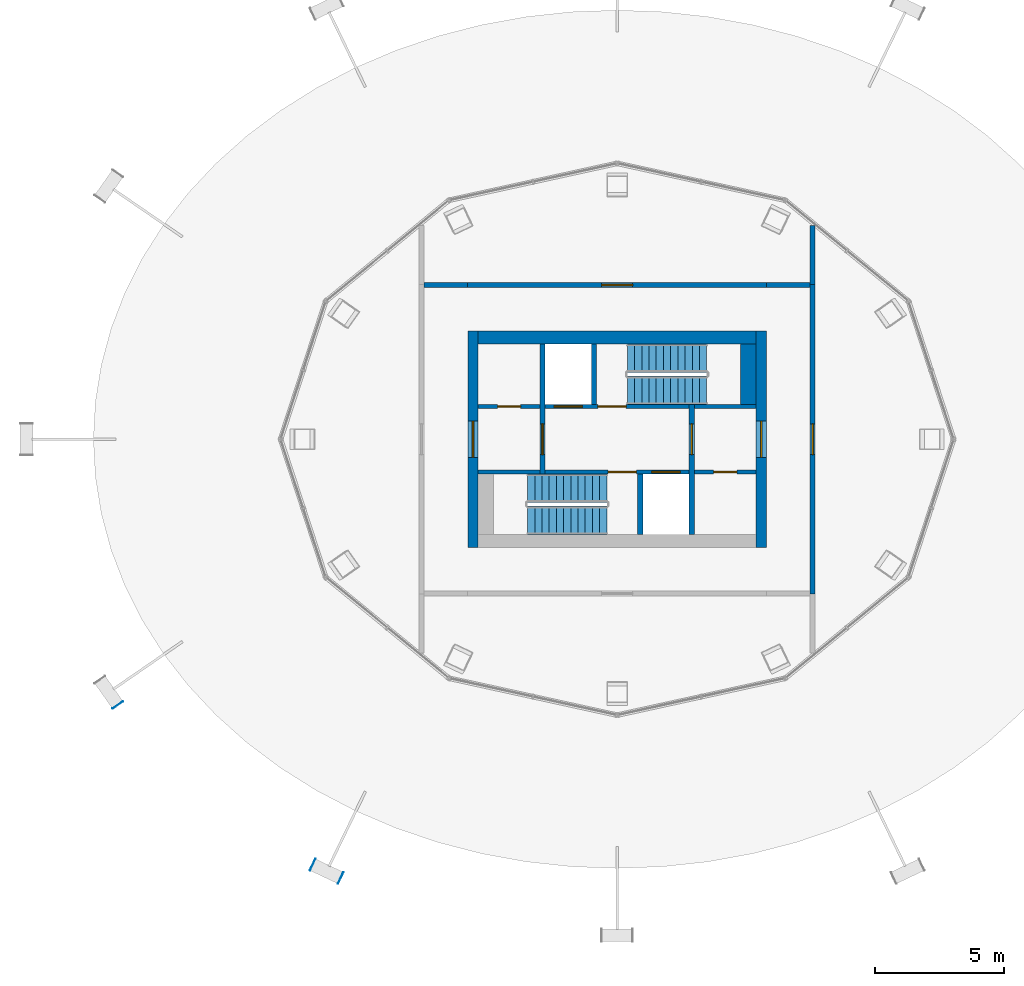
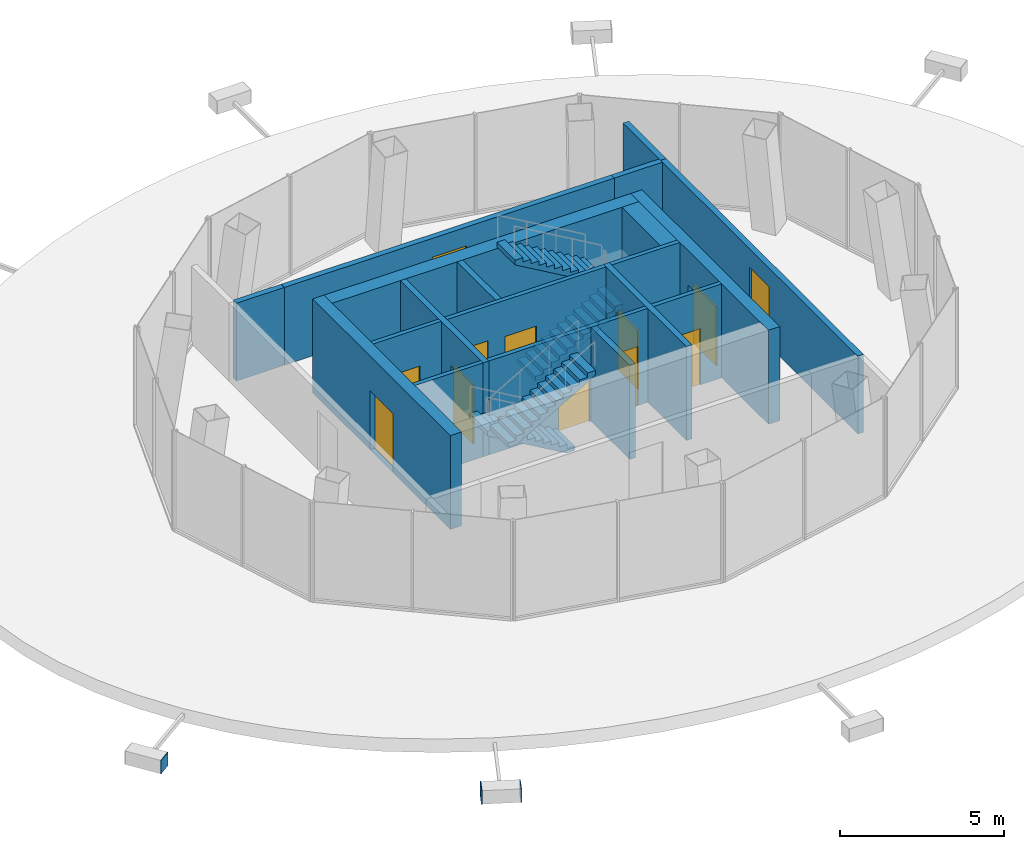
# One storey, part 6 of 10: 19 walls, 12 doors, 4 stair flights, 3 discrete accessories, 12 openings, 2 elements without a shape of their own.
"""IFC4 building model written with IfcOpenShell, lengths in metres."""

import ifcopenshell
import ifcopenshell.guid

model = None  # the IFC model being written
_history = None  # IfcOwnerHistory: only IFC2X3 demands one
_inside = {}  # id of a spatial element -> (the spatial element, [elements in it])
_under = {}  # id of a project, library or spatial element -> (it, [spatial elements below it])
_declared = {}  # id of a project -> (the project, [libraries it declares])
_typed = {}  # id of a type object -> (the type object, [elements of that type])
_made_of = {}  # id of a material, layer set ... -> (it, [elements and type objects made of it])


def new_model(schema):
    """Start an empty IFC model of exactly this schema.

    Asked for "IFC4X3", IfcOpenShell would pick the latest addendum, in which some entities
    have other attributes; the version numbers below select the first issue.
    IFC2X3 requires an IfcOwnerHistory on every rooted entity: one is made here for all.
    """
    global model, _history
    if schema == "IFC4X3":
        model = ifcopenshell.file(schema_version=(4, 3, 0, 0))
    else:
        model = ifcopenshell.file(schema=schema)
    _inside.clear()
    _under.clear()
    _declared.clear()
    _typed.clear()
    _made_of.clear()
    _history = None
    if model.schema == "IFC2X3":
        org = make("IfcOrganization", Name="unknown")
        user = make(
            "IfcPersonAndOrganization",
            ThePerson=make("IfcPerson", FamilyName="unknown"),
            TheOrganization=org,
        )
        app = make(
            "IfcApplication",
            ApplicationDeveloper=org,
            Version="unknown",
            ApplicationFullName="unknown",
            ApplicationIdentifier="unknown",
        )
        _history = make(
            "IfcOwnerHistory",
            OwningUser=user,
            OwningApplication=app,
            ChangeAction="ADDED",
            CreationDate=0,
        )
    return model


def make(cls, **values):
    """One entity of the class cls with the attributes given. An attribute that is None is left unset."""
    return model.create_entity(
        cls, **{name: value for name, value in values.items() if value is not None}
    )


def rooted(cls, **values):
    """An entity with a GlobalId (a new one), such as an element, a storey or a relation."""
    return make(cls, GlobalId=ifcopenshell.guid.new(), OwnerHistory=_history, **values)


def si_unit(unit_type, name, prefix=None):
    """IfcSIUnit, for example si_unit("LENGTHUNIT", "METRE", prefix="MILLI")."""
    return make("IfcSIUnit", UnitType=unit_type, Prefix=prefix, Name=name)


def assignment(units):
    """IfcUnitAssignment: the units of a project."""
    return None if units is None else make("IfcUnitAssignment", Units=units)


def point(xyz):
    """IfcCartesianPoint."""
    return None if xyz is None else make("IfcCartesianPoint", Coordinates=xyz)


def direction(xyz):
    """IfcDirection."""
    return None if xyz is None else make("IfcDirection", DirectionRatios=xyz)


def frame(location, z_axis=None, x_axis=None):
    """IfcAxis2Placement3D, a coordinate frame: its origin and axes. An axis left out is left unset."""
    return make(
        "IfcAxis2Placement3D",
        Location=point(location),
        Axis=direction(z_axis),
        RefDirection=direction(x_axis),
    )


def frame_2d(location, x_axis=None):
    """IfcAxis2Placement2D, a coordinate frame in the plane: its origin and x axis."""
    return make(
        "IfcAxis2Placement2D", Location=point(location), RefDirection=direction(x_axis)
    )


def origin():
    """The frame at (0, 0, 0) with its axes left unset."""
    return frame((0.0, 0.0, 0.0))


def origin_2d():
    """The frame at (0, 0) in the plane with its x axis left unset."""
    return frame_2d((0.0, 0.0))


def place(relative_to, where):
    """IfcLocalPlacement: puts the frame where relative to a parent placement (None: the world)."""
    return make(
        "IfcLocalPlacement", PlacementRelTo=relative_to, RelativePlacement=where
    )


def context(
    kind, dimensions, precision=None, world=None, true_north=None, identifier=None
):
    """IfcGeometricRepresentationContext, for example the 3D "Model" context."""
    return make(
        "IfcGeometricRepresentationContext",
        ContextIdentifier=identifier,
        ContextType=kind,
        CoordinateSpaceDimension=dimensions,
        Precision=precision,
        WorldCoordinateSystem=world,
        TrueNorth=true_north,
    )


def subcontext(parent, identifier, kind, view, scale=None):
    """IfcGeometricRepresentationSubContext, for example "Body" below "Model"."""
    return make(
        "IfcGeometricRepresentationSubContext",
        ContextIdentifier=identifier,
        ContextType=kind,
        ParentContext=parent,
        TargetScale=scale,
        TargetView=view,
    )


def project(units=None, contexts=None):
    """IfcProject with its units and contexts."""
    return rooted(
        "IfcProject",
        Name="project",
        RepresentationContexts=contexts,
        UnitsInContext=assignment(units),
    )


def spatial(cls, under=None, at=None, **own):
    """A site, building, storey or space (cls), placed at a placement, below another one or the project."""
    s = rooted(cls, ObjectPlacement=at, **own)
    if under is not None:
        _under.setdefault(under.id(), (under, []))[1].append(s)
    return s


def polyline(points):
    """IfcPolyline through the points."""
    return make("IfcPolyline", Points=[point(p) for p in points])


def profile(cls, at=None, kind="AREA", **sizes):
    """A parametric profile (cls). Its sizes go by their IFC names, for example OverallWidth=200.0."""
    return make(cls, ProfileType=kind, Position=at, **sizes)


def rectangle(**sizes):
    """IfcRectangleProfileDef."""
    return profile("IfcRectangleProfileDef", **sizes)


def outline(outer, holes=None, kind="AREA"):
    """IfcArbitraryClosedProfileDef: a profile drawn as a closed curve; with holes, ...WithVoids."""
    if holes is None:
        return make("IfcArbitraryClosedProfileDef", ProfileType=kind, OuterCurve=outer)
    return make(
        "IfcArbitraryProfileDefWithVoids",
        ProfileType=kind,
        OuterCurve=outer,
        InnerCurves=holes,
    )


def extrude(swept, where, along, depth):
    """IfcExtrudedAreaSolid: the profile swept, set in the frame where, extruded along a direction by depth."""
    return make(
        "IfcExtrudedAreaSolid",
        SweptArea=swept,
        Position=where,
        ExtrudedDirection=direction(along),
        Depth=depth,
    )


def shape(context_of_items, identifier, shape_type, items):
    """IfcShapeRepresentation: the items that make up one representation, for example the "Body"."""
    return make(
        "IfcShapeRepresentation",
        ContextOfItems=context_of_items,
        RepresentationIdentifier=identifier,
        RepresentationType=shape_type,
        Items=items,
    )


def material(Name=None, Category=None):
    """IfcMaterial."""
    return make("IfcMaterial", Name=Name, Category=Category)


def layer(
    of_material, thickness, ventilated=None, Name=None, Category=None, Priority=None
):
    """IfcMaterialLayer: one layer of a wall or slab, of a material (None: an air gap)."""
    return make(
        "IfcMaterialLayer",
        Material=of_material,
        LayerThickness=thickness,
        IsVentilated=ventilated,
        Name=Name,
        Category=Category,
        Priority=Priority,
    )


def layer_set(layers, Name=None):
    """IfcMaterialLayerSet."""
    return make("IfcMaterialLayerSet", MaterialLayers=layers, LayerSetName=Name)


def made_of(thing, what):
    """Note that an element or type object is made of a material, layer set ...; save() writes the relation."""
    if what is not None:
        _made_of.setdefault(what.id(), (what, []))[1].append(thing)
    return thing


def type_object(cls, material=None, **own):
    """A type object (cls), such as IfcWallType, which elements share."""
    return made_of(rooted(cls, **own), material)


def element(
    cls,
    number,
    at=None,
    inside=None,
    cuts=None,
    type_object=None,
    material=None,
    context=None,
    identifier="Body",
    shape_type=None,
    held_by="IfcProductDefinitionShape",
    body=None,
    shapes=None,
    **own,
):
    """One element of the class cls, such as IfcWall. Its Tag is "e" and its number.

    at: its placement. inside: the storey or other place that contains it. cuts: it is an
    opening in that element (IfcRelVoidsElement). A single representation is given by context,
    identifier, shape_type and body (its items); several are given by shapes. held_by: the class
    of the entity that holds the representations. save() writes the other relations.
    """
    e = rooted(cls, Tag="e%d" % number, ObjectPlacement=at, **own)
    if body is not None:
        shapes = [shape(context, identifier, shape_type, body)]
    if shapes is not None:
        e.Representation = make(held_by, Representations=shapes)
    if inside is not None:
        _inside.setdefault(inside.id(), (inside, []))[1].append(e)
    if cuts is not None:
        rooted(
            "IfcRelVoidsElement", RelatingBuildingElement=cuts, RelatedOpeningElement=e
        )
    if type_object is not None:
        _typed.setdefault(type_object.id(), (type_object, []))[1].append(e)
    return made_of(e, material)


def fill(opening, filler):
    """IfcRelFillsElement: the door or window that sits in an opening."""
    return rooted(
        "IfcRelFillsElement",
        RelatingOpeningElement=opening,
        RelatedBuildingElement=filler,
    )


def aggregate(whole, parts):
    """IfcRelAggregates: a whole, such as a stair, and the parts it consists of."""
    return rooted("IfcRelAggregates", RelatingObject=whole, RelatedObjects=parts)


def save(model, path):
    """Write the relations noted so far, then the file.

    IfcRelAggregates (storeys below a building ...), IfcRelContainedInSpatialStructure (elements
    in a storey), IfcRelDefinesByType, IfcRelAssociatesMaterial and IfcRelDeclares: one each for
    every whole, place, type object, material and project.
    """
    for whole, parts in _under.values():
        aggregate(whole, parts)
    for where, things in _inside.values():
        rooted(
            "IfcRelContainedInSpatialStructure",
            RelatedElements=things,
            RelatingStructure=where,
        )
    for kind, things in _typed.values():
        rooted("IfcRelDefinesByType", RelatedObjects=things, RelatingType=kind)
    for what, things in _made_of.values():
        rooted("IfcRelAssociatesMaterial", RelatedObjects=things, RelatingMaterial=what)
    for by, libraries in _declared.values():
        rooted("IfcRelDeclares", RelatingContext=by, RelatedDefinitions=libraries)
    model.write(path)


model = new_model("IFC4")

# Units and contexts
model_context = context("Model", 3, precision=1e-05, world=origin(), true_north=direction((0.0, 1.0)))
body_context = subcontext(model_context, "Body", "Model", "MODEL_VIEW")
ifc_project = project(units=[si_unit("LENGTHUNIT", "METRE"), si_unit("AREAUNIT", "SQUARE_METRE"), si_unit("VOLUMEUNIT", "CUBIC_METRE"), si_unit("PLANEANGLEUNIT", "RADIAN"), si_unit("MASSUNIT", "GRAM", prefix="KILO")], contexts=[model_context])

# Site, building, storey
site_placement = place(None, origin())
site = spatial("IfcSite", under=ifc_project, at=site_placement, CompositionType="ELEMENT")
building_placement = place(site_placement, origin())
building = spatial("IfcBuilding", under=site, at=building_placement, Name="Siaravel Broadcast Tower", CompositionType="ELEMENT")
storey_placement = place(building_placement, frame((0.0, 0.0, 272.60009765625)))
storey = spatial("IfcBuildingStorey", under=building, at=storey_placement, Name="L66", CompositionType="ELEMENT", Elevation=272.60009765625)

# Wall, opening, door
ifc_material_1 = material(Name="Concrete C60/75", Category="concrete")
ifc_layer_1 = layer(ifc_material_1, 0.39990234375)
ifc_layer_set_1 = layer_set([ifc_layer_1], Name="Concrete C60/75")
wall_type_1 = type_object("IfcWallType", Name="Core wall 400", PredefinedType="SHEAR", material=ifc_layer_set_1)
wall_1_placement = place(storey_placement, frame((-5.60009765625, -4.199951171875, 0.0), z_axis=(0.0, 0.0, 1.0), x_axis=(0.0, 1.0, 0.0)))
wall_1 = element("IfcWall", 1, at=wall_1_placement, inside=storey, type_object=wall_type_1, Name="L66 core wall OW", PredefinedType="SHEAR", context=body_context, shape_type="SweptSolid", body=[
    extrude(rectangle(XDim=8.39990234375, YDim=0.39990234375, at=frame_2d((4.199951171875, 0.0))), origin(), (0.0, 0.0, 1.0), 3.5),
])
opening_1_placement = place(wall_1_placement, frame((3.5, 0.0, 0.0)))
opening_1 = element("IfcOpeningElement", 2, at=opening_1_placement, cuts=wall_1, Name="Opening L66-DX-W", PredefinedType="OPENING", context=body_context, shape_type="SweptSolid", body=[
    extrude(rectangle(XDim=1.39990234375, YDim=2.199951171875, at=frame_2d((0.699951171875, 1.10009765625))), frame((0.0, 0.2099609375, 0.0), z_axis=(0.0, -1.0, 0.0), x_axis=(1.0, 0.0, 0.0)), (0.0, 0.0, 1.0), 0.419921875),
])
ifc_material_2 = material(Name="Steel", Category="steel")
door_type_1 = type_object("IfcDoorType", Name="Core exit door 1400", OperationType="DOUBLE_DOOR_SINGLE_SWING", PredefinedType="DOOR", material=ifc_material_2)
door_1_placement = place(opening_1_placement, origin())
door_1 = element("IfcDoor", 3, at=door_1_placement, inside=storey, type_object=door_type_1, Name="L66 door DX-W", OperationType="DOUBLE_DOOR_SINGLE_SWING", OverallHeight=2.199951171875, OverallWidth=1.39990234375, PredefinedType="DOOR", context=body_context, shape_type="SweptSolid", body=[
    extrude(rectangle(XDim=1.39990234375, YDim=2.199951171875, at=frame_2d((0.699951171875, 1.10009765625))), frame((0.0, 0.02490234375, 0.0), z_axis=(0.0, -1.0, 0.0), x_axis=(1.0, 0.0, 0.0)), (0.0, 0.0, 1.0), 0.050048828125),
])
fill(opening_1, door_1)

wall_2_placement = place(storey_placement, frame((5.60009765625, -4.199951171875, 0.0), z_axis=(0.0, 0.0, 1.0), x_axis=(0.0, 1.0, 0.0)))
wall_2 = element("IfcWall", 4, at=wall_2_placement, inside=storey, type_object=wall_type_1, Name="L66 core wall OE", PredefinedType="SHEAR", context=body_context, shape_type="SweptSolid", body=[
    extrude(rectangle(XDim=8.39990234375, YDim=0.39990234375, at=frame_2d((4.199951171875, 0.0))), origin(), (0.0, 0.0, 1.0), 3.5),
])
opening_2_placement = place(wall_2_placement, frame((3.5, 0.0, 0.0)))
opening_2 = element("IfcOpeningElement", 5, at=opening_2_placement, cuts=wall_2, Name="Opening L66-DX-E", PredefinedType="OPENING", context=body_context, shape_type="SweptSolid", body=[
    extrude(rectangle(XDim=1.39990234375, YDim=2.199951171875, at=frame_2d((0.699951171875, 1.10009765625))), frame((0.0, 0.2099609375, 0.0), z_axis=(0.0, -1.0, 0.0), x_axis=(1.0, 0.0, 0.0)), (0.0, 0.0, 1.0), 0.419921875),
])
door_2_placement = place(opening_2_placement, origin())
door_2 = element("IfcDoor", 6, at=door_2_placement, inside=storey, type_object=door_type_1, Name="L66 door DX-E", OperationType="DOUBLE_DOOR_SINGLE_SWING", OverallHeight=2.199951171875, OverallWidth=1.39990234375, PredefinedType="DOOR", context=body_context, shape_type="SweptSolid", body=[
    extrude(rectangle(XDim=1.39990234375, YDim=2.199951171875, at=frame_2d((0.699951171875, 1.10009765625))), frame((0.0, 0.02490234375, 0.0), z_axis=(0.0, -1.0, 0.0), x_axis=(1.0, 0.0, 0.0)), (0.0, 0.0, 1.0), 0.050048828125),
])
fill(opening_2, door_2)

# Wall
ifc_layer_2 = layer(ifc_material_1, 0.5)
ifc_layer_set_2 = layer_set([ifc_layer_2], Name="Concrete C60/75")
wall_type_2 = type_object("IfcWallType", Name="Core wall 500", PredefinedType="SHEAR", material=ifc_layer_set_2)
wall_3_placement = place(storey_placement, frame((-5.39990234375, 3.949951171875, 0.0), z_axis=(0.0, 0.0, 1.0), x_axis=(1.0, 0.0, 0.0)))
element("IfcWall", 7, at=wall_3_placement, inside=storey, type_object=wall_type_2, Name="L66 core wall ON", PredefinedType="SHEAR", context=body_context, shape_type="SweptSolid", body=[
    extrude(rectangle(XDim=10.7998046875, YDim=0.5, at=frame_2d((5.39990234375, 0.0))), origin(), (0.0, 0.0, 1.0), 3.5),
])

# Wall, opening, door
ifc_material_3 = material(Name="Gypsum board partition", Category="gypsum")
ifc_layer_3 = layer(ifc_material_3, 0.14990234375)
ifc_layer_set_3 = layer_set([ifc_layer_3], Name="Gypsum board partition")
wall_type_3 = type_object("IfcWallType", Name="Corridor wall 150", PredefinedType="PARTITIONING", material=ifc_layer_set_3)
wall_4_placement = place(storey_placement, frame((3.0, -1.27490234375, 0.0), z_axis=(0.0, 0.0, 1.0), x_axis=(1.0, 0.0, 0.0)))
wall_4 = element("IfcWall", 8, at=wall_4_placement, inside=storey, type_object=wall_type_3, Name="L66 core partition CSE", PredefinedType="PARTITIONING", context=body_context, shape_type="SweptSolid", body=[
    extrude(rectangle(XDim=2.39990234375, YDim=0.14990234375, at=frame_2d((1.199951171875, 0.0))), origin(), (0.0, 0.0, 1.0), 3.5),
])
opening_3_placement = place(wall_4_placement, frame((0.75, 0.0, 0.0)))
opening_3 = element("IfcOpeningElement", 9, at=opening_3_placement, cuts=wall_4, Name="Opening L66-DCSE", PredefinedType="OPENING", context=body_context, shape_type="SweptSolid", body=[
    extrude(rectangle(XDim=0.89990234375, YDim=2.10009765625, at=frame_2d((0.449951171875, 1.050048828125))), frame((0.0, 0.0849609375, 0.0), z_axis=(0.0, -1.0, 0.0), x_axis=(1.0, 0.0, 0.0)), (0.0, 0.0, 1.0), 0.169921875),
])
ifc_material_4 = material(Name="Timber veneer", Category="wood")
door_type_2 = type_object("IfcDoorType", Name="Core room door 900", OperationType="SINGLE_SWING_LEFT", PredefinedType="DOOR", material=ifc_material_4)
door_3_placement = place(opening_3_placement, origin())
door_3 = element("IfcDoor", 10, at=door_3_placement, inside=storey, type_object=door_type_2, Name="L66 door DCSE", OperationType="SINGLE_SWING_LEFT", OverallHeight=2.10009765625, OverallWidth=0.89990234375, PredefinedType="DOOR", context=body_context, shape_type="SweptSolid", body=[
    extrude(rectangle(XDim=0.89990234375, YDim=2.10009765625, at=frame_2d((0.449951171875, 1.050048828125))), frame((0.0, 0.02490234375, 0.0), z_axis=(0.0, -1.0, 0.0), x_axis=(1.0, 0.0, 0.0)), (0.0, 0.0, 1.0), 0.050048828125),
])
fill(opening_3, door_3)

wall_5_placement = place(storey_placement, frame((-5.39990234375, 1.27490234375, 0.0), z_axis=(0.0, 0.0, 1.0), x_axis=(1.0, 0.0, 0.0)))
wall_5 = element("IfcWall", 11, at=wall_5_placement, inside=storey, type_object=wall_type_3, Name="L66 core partition CNW", PredefinedType="PARTITIONING", context=body_context, shape_type="SweptSolid", body=[
    extrude(rectangle(XDim=2.39990234375, YDim=0.14990234375, at=frame_2d((1.199951171875, 0.0))), origin(), (0.0, 0.0, 1.0), 3.5),
])
opening_4_placement = place(wall_5_placement, frame((0.75, 0.0, 0.0)))
opening_4 = element("IfcOpeningElement", 12, at=opening_4_placement, cuts=wall_5, Name="Opening L66-DCNW", PredefinedType="OPENING", context=body_context, shape_type="SweptSolid", body=[
    extrude(rectangle(XDim=0.89990234375, YDim=2.10009765625, at=frame_2d((0.449951171875, 1.050048828125))), frame((0.0, 0.0849609375, 0.0), z_axis=(0.0, -1.0, 0.0), x_axis=(1.0, 0.0, 0.0)), (0.0, 0.0, 1.0), 0.169921875),
])
door_4_placement = place(opening_4_placement, origin())
door_4 = element("IfcDoor", 13, at=door_4_placement, inside=storey, type_object=door_type_2, Name="L66 door DCNW", OperationType="SINGLE_SWING_LEFT", OverallHeight=2.10009765625, OverallWidth=0.89990234375, PredefinedType="DOOR", context=body_context, shape_type="SweptSolid", body=[
    extrude(rectangle(XDim=0.89990234375, YDim=2.10009765625, at=frame_2d((0.449951171875, 1.050048828125))), frame((0.0, 0.02490234375, 0.0), z_axis=(0.0, -1.0, 0.0), x_axis=(1.0, 0.0, 0.0)), (0.0, 0.0, 1.0), 0.050048828125),
])
fill(opening_4, door_4)

ifc_material_5 = material(Name="Concrete blockwork", Category="masonry")
ifc_layer_4 = layer(ifc_material_5, 0.199951171875)
ifc_layer_set_4 = layer_set([ifc_layer_4], Name="Concrete blockwork")
wall_type_4 = type_object("IfcWallType", Name="Plant room wall 200", PredefinedType="PARTITIONING", material=ifc_layer_set_4)
wall_6_placement = place(storey_placement, frame((7.60009765625, -6.011962890625, 0.0), z_axis=(0.0, 0.0, 1.0), x_axis=(0.0, 1.0, 0.0)))
wall_6 = element("IfcWall", 14, at=wall_6_placement, inside=storey, type_object=wall_type_4, Name="L66 partition 2", PredefinedType="PARTITIONING", context=body_context, shape_type="SweptSolid", body=[
    extrude(rectangle(XDim=12.02392578125, YDim=0.199951171875, at=frame_2d((6.011962890625, 0.0))), origin(), (0.0, 0.0, 1.0), 2.89990234375),
])
opening_5_placement = place(wall_6_placement, frame((5.412109375, 0.0, 0.0)))
opening_5 = element("IfcOpeningElement", 15, at=opening_5_placement, cuts=wall_6, Name="Opening L66-002", PredefinedType="OPENING", context=body_context, shape_type="SweptSolid", body=[
    extrude(rectangle(XDim=1.199951171875, YDim=2.199951171875, at=frame_2d((0.60009765625, 1.10009765625))), frame((0.0, 0.10986328125, 0.0), z_axis=(0.0, -1.0, 0.0), x_axis=(1.0, 0.0, 0.0)), (0.0, 0.0, 1.0), 0.219970703125),
])
door_type_3 = type_object("IfcDoorType", Name="Plant room door 1200", OperationType="DOUBLE_DOOR_SINGLE_SWING", PredefinedType="DOOR", material=ifc_material_2)
door_5_placement = place(opening_5_placement, origin())
door_5 = element("IfcDoor", 16, at=door_5_placement, inside=storey, type_object=door_type_3, Name="L66 door to Electrical plant room", OperationType="DOUBLE_DOOR_SINGLE_SWING", OverallHeight=2.199951171875, OverallWidth=1.199951171875, PredefinedType="DOOR", context=body_context, shape_type="SweptSolid", body=[
    extrude(rectangle(XDim=1.199951171875, YDim=2.199951171875, at=frame_2d((0.60009765625, 1.10009765625))), frame((0.0, 0.02490234375, 0.0), z_axis=(0.0, -1.0, 0.0), x_axis=(1.0, 0.0, 0.0)), (0.0, 0.0, 1.0), 0.050048828125),
])
fill(opening_5, door_5)

wall_7_placement = place(storey_placement, frame((5.81201171875, 6.0, 0.0), z_axis=(0.0, 0.0, 1.0), x_axis=(-1.0, 0.0, 0.0)))
wall_7 = element("IfcWall", 17, at=wall_7_placement, inside=storey, type_object=wall_type_4, Name="L66 partition 4", PredefinedType="PARTITIONING", context=body_context, shape_type="SweptSolid", body=[
    extrude(rectangle(XDim=11.6240234375, YDim=0.199951171875, at=frame_2d((5.81201171875, 0.0))), origin(), (0.0, 0.0, 1.0), 2.89990234375),
])
opening_6_placement = place(wall_7_placement, frame((5.2119140625, 0.0, 0.0)))
opening_6 = element("IfcOpeningElement", 18, at=opening_6_placement, cuts=wall_7, Name="Opening L66-003", PredefinedType="OPENING", context=body_context, shape_type="SweptSolid", body=[
    extrude(rectangle(XDim=1.199951171875, YDim=2.199951171875, at=frame_2d((0.60009765625, 1.10009765625))), frame((0.0, 0.10986328125, 0.0), z_axis=(0.0, -1.0, 0.0), x_axis=(1.0, 0.0, 0.0)), (0.0, 0.0, 1.0), 0.219970703125),
])
door_6_placement = place(opening_6_placement, origin())
door_6 = element("IfcDoor", 19, at=door_6_placement, inside=storey, type_object=door_type_3, Name="L66 door to Water tank room", OperationType="DOUBLE_DOOR_SINGLE_SWING", OverallHeight=2.199951171875, OverallWidth=1.199951171875, PredefinedType="DOOR", context=body_context, shape_type="SweptSolid", body=[
    extrude(rectangle(XDim=1.199951171875, YDim=2.199951171875, at=frame_2d((0.60009765625, 1.10009765625))), frame((0.0, 0.02490234375, 0.0), z_axis=(0.0, -1.0, 0.0), x_axis=(1.0, 0.0, 0.0)), (0.0, 0.0, 1.0), 0.050048828125),
])
fill(opening_6, door_6)

# Walls
wall_8_placement = place(storey_placement, frame((7.60009765625, 8.307373046875, 0.0), z_axis=(0.0, 0.0, 1.0), x_axis=(0.0, -1.0, 0.0)))
element("IfcWall", 20, at=wall_8_placement, inside=storey, type_object=wall_type_4, Name="L66 partition 8", PredefinedType="PARTITIONING", context=body_context, shape_type="SweptSolid", body=[
    extrude(rectangle(XDim=2.29443359375, YDim=0.199951171875, at=frame_2d((1.147216796875, 0.0))), origin(), (0.0, 0.0, 1.0), 2.89990234375),
])
for number, where, z_axis, x_axis, name in (
    (21, (-5.81298828125, 6.0, 0.0), (0.0, 0.0, 1.0), (-1.0, 0.0, 0.0), "L66 partition 10"),
    (22, (7.4990234375, 6.0, 0.0), (0.0, 0.0, 1.0), (-1.0, 0.0, 0.0), "L66 partition 12"),
):
    element("IfcWall", number, at=place(storey_placement, frame(where, z_axis=z_axis, x_axis=x_axis)), inside=storey, type_object=wall_type_4, Name=name, PredefinedType="PARTITIONING", context=body_context, shape_type="SweptSolid", body=[
        extrude(rectangle(XDim=1.68603515625, YDim=0.199951171875, at=frame_2d((0.843017578125, 0.0))), origin(), (0.0, 0.0, 1.0), 2.89990234375),
    ])
ifc_layer_5 = layer(ifc_material_1, 0.14990234375)
ifc_layer_set_5 = layer_set([ifc_layer_5], Name="Concrete C60/75")
wall_type_5 = type_object("IfcWallType", Name="Shaft wall 150", PredefinedType="SHEAR", material=ifc_layer_set_5)
wall_9_placement = place(storey_placement, frame((-5.39990234375, -1.27490234375, 0.0), z_axis=(0.0, 0.0, 1.0), x_axis=(1.0, 0.0, 0.0)))
element("IfcWall", 23, at=wall_9_placement, inside=storey, type_object=wall_type_5, Name="L66 core wall CSW", PredefinedType="SHEAR", context=body_context, shape_type="SweptSolid", body=[
    extrude(rectangle(XDim=2.39990234375, YDim=0.14990234375, at=frame_2d((1.199951171875, 0.0))), origin(), (0.0, 0.0, 1.0), 3.5),
])

# Wall, openings, doors
wall_10_placement = place(storey_placement, frame((-2.800048828125, -1.27490234375, 0.0), z_axis=(0.0, 0.0, 1.0), x_axis=(1.0, 0.0, 0.0)))
wall_10 = element("IfcWall", 24, at=wall_10_placement, inside=storey, type_object=wall_type_5, Name="L66 core wall CSM", PredefinedType="SHEAR", context=body_context, shape_type="SweptSolid", body=[
    extrude(rectangle(XDim=5.60009765625, YDim=0.14990234375, at=frame_2d((2.800048828125, 0.0))), origin(), (0.0, 0.0, 1.0), 3.5),
])
opening_7_placement = place(wall_10_placement, frame((4.14990234375, 0.0, 0.0)))
opening_7 = element("IfcOpeningElement", 25, at=opening_7_placement, cuts=wall_10, Name="Opening LD-FL2-L66", PredefinedType="OPENING", context=body_context, shape_type="SweptSolid", body=[
    extrude(rectangle(XDim=1.10009765625, YDim=2.199951171875, at=frame_2d((0.550048828125, 1.10009765625))), frame((0.0, 0.0849609375, 0.0), z_axis=(0.0, -1.0, 0.0), x_axis=(1.0, 0.0, 0.0)), (0.0, 0.0, 1.0), 0.169921875),
])
opening_8_placement = place(wall_10_placement, frame((2.449951171875, 0.0, 0.0)))
opening_8 = element("IfcOpeningElement", 26, at=opening_8_placement, cuts=wall_10, Name="Opening L66-DS-C2", PredefinedType="OPENING", context=body_context, shape_type="SweptSolid", body=[
    extrude(rectangle(XDim=1.10009765625, YDim=2.14990234375, at=frame_2d((0.550048828125, 1.074951171875))), frame((0.0, 0.0849609375, 0.0), z_axis=(0.0, -1.0, 0.0), x_axis=(1.0, 0.0, 0.0)), (0.0, 0.0, 1.0), 0.169921875),
])
ifc_material_6 = material(Name="Stainless steel 316L", Category="steel")
door_type_4 = type_object("IfcDoorType", Name="Firefighting lift landing door 1100", OperationType="DOUBLE_DOOR_SLIDING", PredefinedType="DOOR", material=ifc_material_6)
door_7_placement = place(opening_7_placement, origin())
door_7 = element("IfcDoor", 27, at=door_7_placement, inside=storey, type_object=door_type_4, Name="Landing door FL2 L66", OperationType="DOUBLE_DOOR_SLIDING", OverallHeight=2.199951171875, OverallWidth=1.10009765625, PredefinedType="DOOR", context=body_context, shape_type="SweptSolid", body=[
    extrude(rectangle(XDim=1.10009765625, YDim=2.199951171875, at=frame_2d((0.550048828125, 1.10009765625))), frame((0.0, 0.02490234375, 0.0), z_axis=(0.0, -1.0, 0.0), x_axis=(1.0, 0.0, 0.0)), (0.0, 0.0, 1.0), 0.050048828125),
])
fill(opening_7, door_7)
door_type_5 = type_object("IfcDoorType", Name="Stair door 1100", OperationType="SINGLE_SWING_LEFT", PredefinedType="DOOR", material=ifc_material_2)
door_8_placement = place(opening_8_placement, origin())
door_8 = element("IfcDoor", 28, at=door_8_placement, inside=storey, type_object=door_type_5, Name="L66 door DS-C2", OperationType="SINGLE_SWING_LEFT", OverallHeight=2.14990234375, OverallWidth=1.10009765625, PredefinedType="DOOR", context=body_context, shape_type="SweptSolid", body=[
    extrude(rectangle(XDim=1.10009765625, YDim=2.14990234375, at=frame_2d((0.550048828125, 1.074951171875))), frame((0.0, 0.02490234375, 0.0), z_axis=(0.0, -1.0, 0.0), x_axis=(1.0, 0.0, 0.0)), (0.0, 0.0, 1.0), 0.050048828125),
])
fill(opening_8, door_8)

wall_11_placement = place(storey_placement, frame((-2.800048828125, 1.27490234375, 0.0), z_axis=(0.0, 0.0, 1.0), x_axis=(1.0, 0.0, 0.0)))
wall_11 = element("IfcWall", 29, at=wall_11_placement, inside=storey, type_object=wall_type_5, Name="L66 core wall CNM", PredefinedType="SHEAR", context=body_context, shape_type="SweptSolid", body=[
    extrude(rectangle(XDim=5.60009765625, YDim=0.14990234375, at=frame_2d((2.800048828125, 0.0))), origin(), (0.0, 0.0, 1.0), 3.5),
])
opening_9_placement = place(wall_11_placement, frame((0.35009765625, 0.0, 0.0)))
opening_9 = element("IfcOpeningElement", 30, at=opening_9_placement, cuts=wall_11, Name="Opening LD-FL1-L66", PredefinedType="OPENING", context=body_context, shape_type="SweptSolid", body=[
    extrude(rectangle(XDim=1.10009765625, YDim=2.199951171875, at=frame_2d((0.550048828125, 1.10009765625))), frame((0.0, 0.0849609375, 0.0), z_axis=(0.0, -1.0, 0.0), x_axis=(1.0, 0.0, 0.0)), (0.0, 0.0, 1.0), 0.169921875),
])
opening_10_placement = place(wall_11_placement, frame((2.050048828125, 0.0, 0.0)))
opening_10 = element("IfcOpeningElement", 31, at=opening_10_placement, cuts=wall_11, Name="Opening L66-DS-C1", PredefinedType="OPENING", context=body_context, shape_type="SweptSolid", body=[
    extrude(rectangle(XDim=1.10009765625, YDim=2.14990234375, at=frame_2d((0.550048828125, 1.074951171875))), frame((0.0, 0.0849609375, 0.0), z_axis=(0.0, -1.0, 0.0), x_axis=(1.0, 0.0, 0.0)), (0.0, 0.0, 1.0), 0.169921875),
])
door_9_placement = place(opening_9_placement, origin())
door_9 = element("IfcDoor", 32, at=door_9_placement, inside=storey, type_object=door_type_4, Name="Landing door FL1 L66", OperationType="DOUBLE_DOOR_SLIDING", OverallHeight=2.199951171875, OverallWidth=1.10009765625, PredefinedType="DOOR", context=body_context, shape_type="SweptSolid", body=[
    extrude(rectangle(XDim=1.10009765625, YDim=2.199951171875, at=frame_2d((0.550048828125, 1.10009765625))), frame((0.0, 0.02490234375, 0.0), z_axis=(0.0, -1.0, 0.0), x_axis=(1.0, 0.0, 0.0)), (0.0, 0.0, 1.0), 0.050048828125),
])
fill(opening_9, door_9)
door_10_placement = place(opening_10_placement, origin())
door_10 = element("IfcDoor", 33, at=door_10_placement, inside=storey, type_object=door_type_5, Name="L66 door DS-C1", OperationType="SINGLE_SWING_LEFT", OverallHeight=2.14990234375, OverallWidth=1.10009765625, PredefinedType="DOOR", context=body_context, shape_type="SweptSolid", body=[
    extrude(rectangle(XDim=1.10009765625, YDim=2.14990234375, at=frame_2d((0.550048828125, 1.074951171875))), frame((0.0, 0.02490234375, 0.0), z_axis=(0.0, -1.0, 0.0), x_axis=(1.0, 0.0, 0.0)), (0.0, 0.0, 1.0), 0.050048828125),
])
fill(opening_10, door_10)

# Wall
wall_12_placement = place(storey_placement, frame((3.0, 1.27490234375, 0.0), z_axis=(0.0, 0.0, 1.0), x_axis=(1.0, 0.0, 0.0)))
element("IfcWall", 34, at=wall_12_placement, inside=storey, type_object=wall_type_5, Name="L66 core wall CNE", PredefinedType="SHEAR", context=body_context, shape_type="SweptSolid", body=[
    extrude(rectangle(XDim=2.39990234375, YDim=0.14990234375, at=frame_2d((1.199951171875, 0.0))), origin(), (0.0, 0.0, 1.0), 3.5),
])

# Wall, opening, door
ifc_layer_6 = layer(ifc_material_1, 0.199951171875)
ifc_layer_set_6 = layer_set([ifc_layer_6], Name="Concrete C60/75")
wall_type_6 = type_object("IfcWallType", Name="Shaft wall 200", PredefinedType="SHEAR", material=ifc_layer_set_6)
wall_13_placement = place(storey_placement, frame((-2.89990234375, -1.35009765625, 0.0), z_axis=(0.0, 0.0, 1.0), x_axis=(0.0, 1.0, 0.0)))
wall_13 = element("IfcWall", 35, at=wall_13_placement, inside=storey, type_object=wall_type_6, Name="L66 core wall LW", PredefinedType="SHEAR", context=body_context, shape_type="SweptSolid", body=[
    extrude(rectangle(XDim=5.050048828125, YDim=0.199951171875, at=frame_2d((2.52490234375, 0.0))), origin(), (0.0, 0.0, 1.0), 3.5),
])
opening_11_placement = place(wall_13_placement, frame((0.75, 0.0, 0.0)))
opening_11 = element("IfcOpeningElement", 36, at=opening_11_placement, cuts=wall_13, Name="Opening L66-DL-W", PredefinedType="OPENING", context=body_context, shape_type="SweptSolid", body=[
    extrude(rectangle(XDim=1.199951171875, YDim=2.199951171875, at=frame_2d((0.60009765625, 1.10009765625))), frame((0.0, 0.10986328125, 0.0), z_axis=(0.0, -1.0, 0.0), x_axis=(1.0, 0.0, 0.0)), (0.0, 0.0, 1.0), 0.219970703125),
])
door_type_6 = type_object("IfcDoorType", Name="Firefighting lobby door 1200", OperationType="SINGLE_SWING_LEFT", PredefinedType="DOOR", material=ifc_material_2)
door_11_placement = place(opening_11_placement, origin())
door_11 = element("IfcDoor", 37, at=door_11_placement, inside=storey, type_object=door_type_6, Name="L66 door DL-W", OperationType="SINGLE_SWING_LEFT", OverallHeight=2.199951171875, OverallWidth=1.199951171875, PredefinedType="DOOR", context=body_context, shape_type="SweptSolid", body=[
    extrude(rectangle(XDim=1.199951171875, YDim=2.199951171875, at=frame_2d((0.60009765625, 1.10009765625))), frame((0.0, 0.02490234375, 0.0), z_axis=(0.0, -1.0, 0.0), x_axis=(1.0, 0.0, 0.0)), (0.0, 0.0, 1.0), 0.050048828125),
])
fill(opening_11, door_11)

wall_14_placement = place(storey_placement, frame((2.89990234375, -3.699951171875, 0.0), z_axis=(0.0, 0.0, 1.0), x_axis=(0.0, 1.0, 0.0)))
wall_14 = element("IfcWall", 38, at=wall_14_placement, inside=storey, type_object=wall_type_6, Name="L66 core wall LE", PredefinedType="SHEAR", context=body_context, shape_type="SweptSolid", body=[
    extrude(rectangle(XDim=5.050048828125, YDim=0.199951171875, at=frame_2d((2.52490234375, 0.0))), origin(), (0.0, 0.0, 1.0), 3.5),
])
opening_12_placement = place(wall_14_placement, frame((3.10009765625, 0.0, 0.0)))
opening_12 = element("IfcOpeningElement", 39, at=opening_12_placement, cuts=wall_14, Name="Opening L66-DL-E", PredefinedType="OPENING", context=body_context, shape_type="SweptSolid", body=[
    extrude(rectangle(XDim=1.199951171875, YDim=2.199951171875, at=frame_2d((0.60009765625, 1.10009765625))), frame((0.0, 0.10986328125, 0.0), z_axis=(0.0, -1.0, 0.0), x_axis=(1.0, 0.0, 0.0)), (0.0, 0.0, 1.0), 0.219970703125),
])
door_12_placement = place(opening_12_placement, origin())
door_12 = element("IfcDoor", 40, at=door_12_placement, inside=storey, type_object=door_type_6, Name="L66 door DL-E", OperationType="SINGLE_SWING_LEFT", OverallHeight=2.199951171875, OverallWidth=1.199951171875, PredefinedType="DOOR", context=body_context, shape_type="SweptSolid", body=[
    extrude(rectangle(XDim=1.199951171875, YDim=2.199951171875, at=frame_2d((0.60009765625, 1.10009765625))), frame((0.0, 0.02490234375, 0.0), z_axis=(0.0, -1.0, 0.0), x_axis=(1.0, 0.0, 0.0)), (0.0, 0.0, 1.0), 0.050048828125),
])
fill(opening_12, door_12)

# Walls
for number, where, z_axis, x_axis, name in (
    (41, (-0.89990234375, 1.35009765625, 0.0), (0.0, 0.0, 1.0), (0.0, 1.0, 0.0), "L66 core wall FF1E"),
    (42, (0.89990234375, -3.699951171875, 0.0), (0.0, 0.0, 1.0), (0.0, 1.0, 0.0), "L66 core wall FF2W"),
):
    element("IfcWall", number, at=place(storey_placement, frame(where, z_axis=z_axis, x_axis=x_axis)), inside=storey, type_object=wall_type_6, Name=name, PredefinedType="SHEAR", context=body_context, shape_type="SweptSolid", body=[
        extrude(rectangle(XDim=2.349853515625, YDim=0.199951171875, at=frame_2d((1.1748046875, 0.0))), origin(), (0.0, 0.0, 1.0), 3.5),
    ])
ifc_layer_7 = layer(ifc_material_1, 0.60009765625)
ifc_layer_set_7 = layer_set([ifc_layer_7], Name="Concrete C60/75")
wall_type_7 = type_object("IfcWallType", Name="Shaft wall 600", PredefinedType="SHEAR", material=ifc_layer_set_7)
wall_15_placement = place(storey_placement, frame((5.10009765625, 1.35009765625, 0.0), z_axis=(0.0, 0.0, 1.0), x_axis=(0.0, 1.0, 0.0)))
element("IfcWall", 43, at=wall_15_placement, inside=storey, type_object=wall_type_7, Name="L66 core wall STCE", PredefinedType="SHEAR", context=body_context, shape_type="SweptSolid", body=[
    extrude(rectangle(XDim=2.349853515625, YDim=0.60009765625, at=frame_2d((1.1748046875, 0.0))), origin(), (0.0, 0.0, 1.0), 3.5),
])

# Stair, stair flights
ifc_material_7 = material(Name="Concrete C40/50", Category="concrete")
stair_type = type_object("IfcStairType", Name="Core exit stair", PredefinedType="HALF_TURN_STAIR", material=ifc_material_7)
stair_1_placement = place(storey_placement, origin())
stair_1 = element("IfcStair", 44, at=stair_1_placement, inside=storey, type_object=stair_type, Name="L66 Exit stair ST-C1", PredefinedType="HALF_TURN_STAIR")
stair_flight_type = type_object("IfcStairFlightType", Name="Stair flight 1100", PredefinedType="STRAIGHT", material=ifc_material_7)
stair_flight_1_placement = place(storey_placement, frame((0.39990234375, 1.89990234375, 0.0), z_axis=(0.0, 0.0, 1.0), x_axis=(1.0, 0.0, 0.0)))
stair_flight_1 = element("IfcStairFlight", 45, at=stair_flight_1_placement, type_object=stair_flight_type, Name="ST-C1 flight 1", NumberOfRisers=12, NumberOfTreads=11, PredefinedType="STRAIGHT", RiserHeight=0.1625, TreadLength=0.28, context=body_context, shape_type="SweptSolid", body=[
    extrude(outline(polyline([(0.0, 0.0), (0.0, 0.16259765625), (0.280029296875, 0.16259765625), (0.280029296875, 0.324951171875), (0.56005859375, 0.324951171875), (0.56005859375, 0.487548828125), (0.840087890625, 0.487548828125), (0.840087890625, 0.64990234375), (1.1201171875, 0.64990234375), (1.1201171875, 0.8125), (1.39990234375, 0.8125), (1.39990234375, 0.97509765625), (1.679931640625, 0.97509765625), (1.679931640625, 1.137451171875), (1.9599609375, 1.137451171875), (1.9599609375, 1.300048828125), (2.239990234375, 1.300048828125), (2.239990234375, 1.46240234375), (2.52001953125, 1.46240234375), (2.52001953125, 1.625), (2.800048828125, 1.625), (2.800048828125, 1.78759765625), (3.080078125, 1.78759765625), (3.080078125, 1.949951171875), (3.080078125, 1.6142578125), (0.298583984375, 0.0), (0.0, 0.0)])), frame((0.0, 0.550048828125, 0.0), z_axis=(0.0, -1.0, 0.0), x_axis=(1.0, 0.0, 0.0)), (0.0, 0.0, 1.0), 1.10009765625),
])
stair_flight_2_placement = place(storey_placement, frame((3.47998046875, 3.14990234375, 1.949951171875), z_axis=(0.0, 0.0, 1.0), x_axis=(-1.0, 0.0, 0.0)))
stair_flight_2 = element("IfcStairFlight", 46, at=stair_flight_2_placement, type_object=stair_flight_type, Name="ST-C1 flight 2", NumberOfRisers=12, NumberOfTreads=11, PredefinedType="STRAIGHT", RiserHeight=0.1625, TreadLength=0.28, context=body_context, shape_type="SweptSolid", body=[
    extrude(outline(polyline([(0.0, 0.0), (0.0, 0.16259765625), (0.280029296875, 0.16259765625), (0.280029296875, 0.324951171875), (0.56005859375, 0.324951171875), (0.56005859375, 0.487548828125), (0.840087890625, 0.487548828125), (0.840087890625, 0.64990234375), (1.1201171875, 0.64990234375), (1.1201171875, 0.8125), (1.39990234375, 0.8125), (1.39990234375, 0.97509765625), (1.679931640625, 0.97509765625), (1.679931640625, 1.137451171875), (1.9599609375, 1.137451171875), (1.9599609375, 1.300048828125), (2.239990234375, 1.300048828125), (2.239990234375, 1.46240234375), (2.52001953125, 1.46240234375), (2.52001953125, 1.625), (2.800048828125, 1.625), (2.800048828125, 1.78759765625), (3.080078125, 1.78759765625), (3.080078125, 1.949951171875), (3.080078125, 1.6142578125), (0.298583984375, 0.0), (0.0, 0.0)])), frame((0.0, 0.550048828125, 0.0), z_axis=(0.0, -1.0, 0.0), x_axis=(1.0, 0.0, 0.0)), (0.0, 0.0, 1.0), 1.10009765625),
])
aggregate(stair_1, [stair_flight_1, stair_flight_2])

stair_2_placement = place(storey_placement, origin())
stair_2 = element("IfcStair", 47, at=stair_2_placement, inside=storey, type_object=stair_type, Name="L66 Exit stair ST-C2", PredefinedType="HALF_TURN_STAIR")
stair_flight_3_placement = place(storey_placement, frame((-0.39990234375, -1.89990234375, 0.0), z_axis=(0.0, 0.0, 1.0), x_axis=(-1.0, 0.0, 0.0)))
stair_flight_3 = element("IfcStairFlight", 48, at=stair_flight_3_placement, type_object=stair_flight_type, Name="ST-C2 flight 1", NumberOfRisers=12, NumberOfTreads=11, PredefinedType="STRAIGHT", RiserHeight=0.1625, TreadLength=0.28, context=body_context, shape_type="SweptSolid", body=[
    extrude(outline(polyline([(0.0, 0.0), (0.0, 0.16259765625), (0.280029296875, 0.16259765625), (0.280029296875, 0.324951171875), (0.56005859375, 0.324951171875), (0.56005859375, 0.487548828125), (0.840087890625, 0.487548828125), (0.840087890625, 0.64990234375), (1.1201171875, 0.64990234375), (1.1201171875, 0.8125), (1.39990234375, 0.8125), (1.39990234375, 0.97509765625), (1.679931640625, 0.97509765625), (1.679931640625, 1.137451171875), (1.9599609375, 1.137451171875), (1.9599609375, 1.300048828125), (2.239990234375, 1.300048828125), (2.239990234375, 1.46240234375), (2.52001953125, 1.46240234375), (2.52001953125, 1.625), (2.800048828125, 1.625), (2.800048828125, 1.78759765625), (3.080078125, 1.78759765625), (3.080078125, 1.949951171875), (3.080078125, 1.6142578125), (0.298583984375, 0.0), (0.0, 0.0)])), frame((0.0, 0.550048828125, 0.0), z_axis=(0.0, -1.0, 0.0), x_axis=(1.0, 0.0, 0.0)), (0.0, 0.0, 1.0), 1.10009765625),
])
stair_flight_4_placement = place(storey_placement, frame((-3.47998046875, -3.14990234375, 1.949951171875), z_axis=(0.0, 0.0, 1.0), x_axis=(1.0, 0.0, 0.0)))
stair_flight_4 = element("IfcStairFlight", 49, at=stair_flight_4_placement, type_object=stair_flight_type, Name="ST-C2 flight 2", NumberOfRisers=12, NumberOfTreads=11, PredefinedType="STRAIGHT", RiserHeight=0.1625, TreadLength=0.28, context=body_context, shape_type="SweptSolid", body=[
    extrude(outline(polyline([(0.0, 0.0), (0.0, 0.16259765625), (0.280029296875, 0.16259765625), (0.280029296875, 0.324951171875), (0.56005859375, 0.324951171875), (0.56005859375, 0.487548828125), (0.840087890625, 0.487548828125), (0.840087890625, 0.64990234375), (1.1201171875, 0.64990234375), (1.1201171875, 0.8125), (1.39990234375, 0.8125), (1.39990234375, 0.97509765625), (1.679931640625, 0.97509765625), (1.679931640625, 1.137451171875), (1.9599609375, 1.137451171875), (1.9599609375, 1.300048828125), (2.239990234375, 1.300048828125), (2.239990234375, 1.46240234375), (2.52001953125, 1.46240234375), (2.52001953125, 1.625), (2.800048828125, 1.625), (2.800048828125, 1.78759765625), (3.080078125, 1.78759765625), (3.080078125, 1.949951171875), (3.080078125, 1.6142578125), (0.298583984375, 0.0), (0.0, 0.0)])), frame((0.0, 0.550048828125, 0.0), z_axis=(0.0, -1.0, 0.0), x_axis=(1.0, 0.0, 0.0)), (0.0, 0.0, 1.0), 1.10009765625),
])
aggregate(stair_2, [stair_flight_3, stair_flight_4])

# Discrete accessories
ifc_material_8 = material(Name="Steel S355", Category="steel")
ifc_layer_8 = layer(ifc_material_8, 0.02001953125)
ifc_layer_set_8 = layer_set([ifc_layer_8], Name="Steel S355")
discrete_accessory_type = type_object("IfcDiscreteAccessoryType", Name="Steel end plate 20 mm", PredefinedType="USERDEFINED", material=ifc_layer_set_8)
for number, where, z_axis, x_axis, name in (
    (50, (-19.412841796875, -10.3310546875, -0.4501953125), (0.0, 0.0, 1.0), (0.576118513, -0.817366172, 0.0), "End plate R27 station 42A"),
    (51, (-10.747802734375, -17.0537109375, -0.4501953125), (0.0, 0.0, 1.0), (0.904006456, -0.427518805, 0.0), "End plate R27 station 48A"),
    (52, (-11.8388671875, -16.53759765625, -0.4501953125), (0.0, 0.0, 1.0), (0.904006456, -0.427518805, 0.0), "End plate R27 station 48B"),
):
    element("IfcDiscreteAccessory", number, at=place(storey_placement, frame(where, z_axis=z_axis, x_axis=x_axis)), inside=storey, type_object=discrete_accessory_type, Name=name, ObjectType="END PLATE", PredefinedType="USERDEFINED", context=body_context, shape_type="SweptSolid", body=[
        extrude(rectangle(XDim=0.02001953125, YDim=0.5, at=origin_2d()), origin(), (0.0, 0.0, 1.0), 0.5),
    ])

save(model, "model.ifc")
